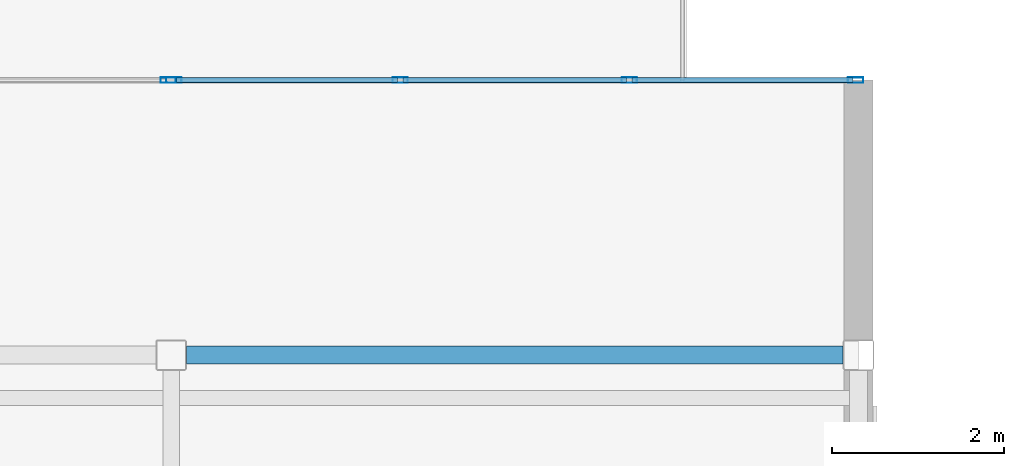
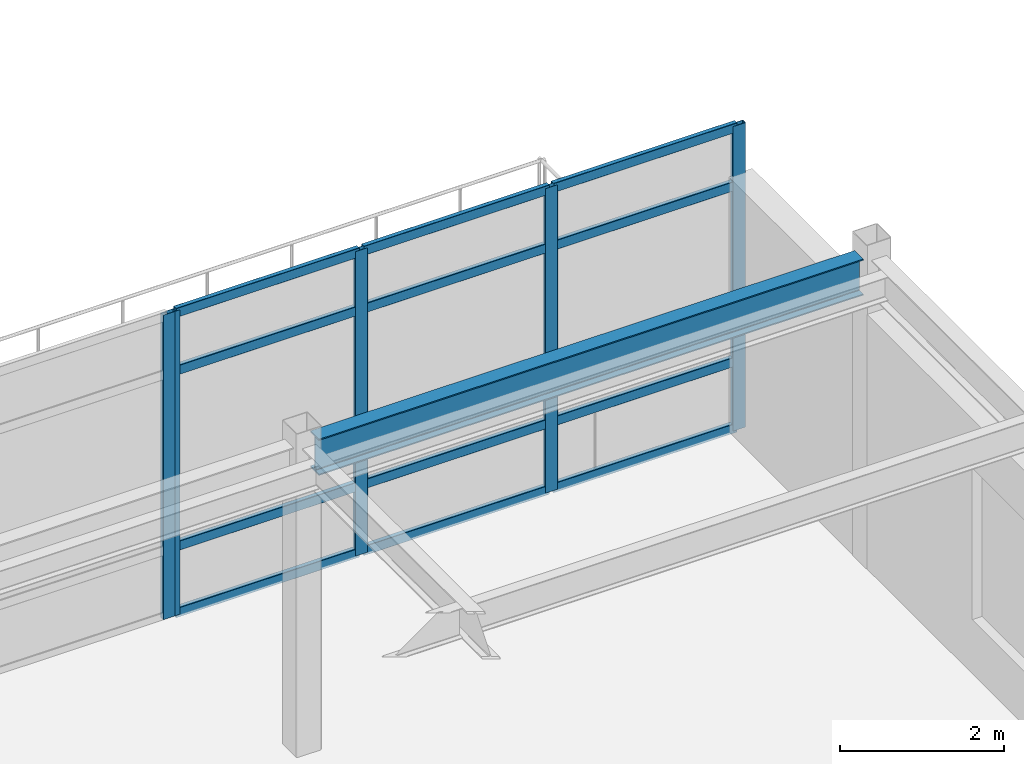
# One storey, part 73 of 117: 17 members, 1 beam, 2 elements without a shape of their own.
"""IFC4 building model written with IfcOpenShell, lengths in metres."""

from ifc_helpers import new_model, si_unit, direction, frame, origin, origin_2d, place, context, subcontext, project, spatial, hollow_rectangle, i_section, extrude, material, material_profile, profile_set, type_object, element, aggregate, save


model = new_model("IFC4")

# Units and contexts
model_context = context("Model", 3, precision=1e-05, world=origin(), true_north=direction((0.0, 1.0)))
body_context = subcontext(model_context, "Body", "Model", "MODEL_VIEW")
ifc_project = project(units=[si_unit("LENGTHUNIT", "METRE"), si_unit("AREAUNIT", "SQUARE_METRE"), si_unit("VOLUMEUNIT", "CUBIC_METRE"), si_unit("PLANEANGLEUNIT", "RADIAN"), si_unit("MASSUNIT", "GRAM", prefix="KILO")], contexts=[model_context])

# Site, building, storey
site_placement = place(None, origin())
site = spatial("IfcSite", under=ifc_project, at=site_placement, CompositionType="ELEMENT")
building_placement = place(site_placement, origin())
building = spatial("IfcBuilding", under=site, at=building_placement, Name="Solmirada Galleria", CompositionType="ELEMENT")
storey_placement = place(building_placement, frame((0.0, 0.0, 5.60009765625)))
storey = spatial("IfcBuildingStorey", under=building, at=storey_placement, Name="L01", CompositionType="ELEMENT", Elevation=5.60009765625)

# Beam
ifc_material_1 = material(Name="Steel S355 / ASTM A992 Grade 50", Category="steel")
ifc_material_profile_1 = material_profile(ifc_material_1, i_section(OverallWidth=0.2099609375, OverallDepth=0.537109375, WebThickness=0.010986328125, FlangeThickness=0.017333984375, FilletRadius=0.014892578125, at=origin_2d()), Name="W21X68")
ifc_profile_set_1 = profile_set([ifc_material_profile_1], Name="Steel S355 / ASTM A992 Grade 50")
beam_type = type_object("IfcBeamType", Name="BM-GIRD-W21B", PredefinedType="BEAM", material=ifc_profile_set_1)
beam_placement = place(storey_placement, frame((136.177978515625, 40.0, 4.29150390625), z_axis=(1.0, 0.0, 0.0), x_axis=(0.0, 1.0, 0.0)))
element("IfcBeam", 1, at=beam_placement, inside=storey, type_object=beam_type, Name="Primary beam L02 X(136..144, 40)", PredefinedType="BEAM", context=body_context, shape_type="SweptSolid", body=[
    extrude(i_section(OverallWidth=0.2099609375, OverallDepth=0.537109375, WebThickness=0.010986328125, FlangeThickness=0.017333984375, FilletRadius=0.014892578125, at=origin_2d()), origin(), (0.0, 0.0, 1.0), 7.64404296875),
])

# Curtain wall, member
ifc_material_2 = material(Name="Impact-resistant low-E double glazing", Category="glass")
curtain_wall_type = type_object("IfcCurtainWallType", Name="CW-FZ5-L01-B3-L080", PredefinedType="NOTDEFINED", material=ifc_material_2)
curtain_wall_1_placement = place(storey_placement, origin())
curtain_wall_1 = element("IfcCurtainWall", 2, at=curtain_wall_1_placement, inside=storey, type_object=curtain_wall_type, Name="Terrace and arcade storefront CW-L01-076", PredefinedType="NOTDEFINED")
ifc_material_3 = material(Name="Anodised aluminium framing", Category="aluminium")
ifc_material_profile_2 = material_profile(ifc_material_3, hollow_rectangle(XDim=0.06494140625, YDim=0.179931640625, WallThickness=0.00390625, InnerFilletRadius=0.00390625, OuterFilletRadius=0.008056640625, at=origin_2d()), Name="ALU-MULL-180X65")
ifc_profile_set_2 = profile_set([ifc_material_profile_2], Name="Anodised aluminium framing")
member_type_1 = type_object("IfcMemberType", Name="CW-MULL-180", PredefinedType="MULLION", material=ifc_profile_set_2)
member_1_placement = place(storey_placement, frame((135.967529296875, 43.199951171875, 0.0), z_axis=(0.0, 0.0, 1.0), x_axis=(0.0, 1.0, 0.0)))
member_1 = element("IfcMember", 3, at=member_1_placement, type_object=member_type_1, Name="CW17 mullion 4", PredefinedType="MULLION", context=body_context, shape_type="SweptSolid", body=[
    extrude(hollow_rectangle(XDim=0.06494140625, YDim=0.179931640625, WallThickness=0.00390625, InnerFilletRadius=0.00390625, OuterFilletRadius=0.008056640625, at=origin_2d()), origin(), (0.0, 0.0, 1.0), 4.52001953125),
])
aggregate(curtain_wall_1, [member_1])

# Curtain wall, members
curtain_wall_2_placement = place(storey_placement, origin())
curtain_wall_2 = element("IfcCurtainWall", 4, at=curtain_wall_2_placement, inside=storey, type_object=curtain_wall_type, Name="Terrace and arcade storefront CW-L01-077", PredefinedType="NOTDEFINED")
member_2_placement = place(storey_placement, frame((136.032470703125, 43.199951171875, 0.0), z_axis=(0.0, 0.0, 1.0), x_axis=(0.0, 1.0, 0.0)))
member_2 = element("IfcMember", 5, at=member_2_placement, type_object=member_type_1, Name="CW17 mullion 1", PredefinedType="MULLION", context=body_context, shape_type="SweptSolid", body=[
    extrude(hollow_rectangle(XDim=0.06494140625, YDim=0.179931640625, WallThickness=0.00390625, InnerFilletRadius=0.00390625, OuterFilletRadius=0.008056640625, at=origin_2d()), origin(), (0.0, 0.0, 1.0), 4.52001953125),
])
member_3_placement = place(storey_placement, frame((138.666748046875, 43.199951171875, 0.0), z_axis=(0.0, 0.0, 1.0), x_axis=(0.0, 1.0, 0.0)))
member_3 = element("IfcMember", 6, at=member_3_placement, type_object=member_type_1, Name="CW17 mullion 2", PredefinedType="MULLION", context=body_context, shape_type="SweptSolid", body=[
    extrude(hollow_rectangle(XDim=0.06494140625, YDim=0.179931640625, WallThickness=0.00390625, InnerFilletRadius=0.00390625, OuterFilletRadius=0.008056640625, at=origin_2d()), origin(), (0.0, 0.0, 1.0), 4.52001953125),
])
member_4_placement = place(storey_placement, frame((141.333251953125, 43.199951171875, 0.0), z_axis=(0.0, 0.0, 1.0), x_axis=(0.0, 1.0, 0.0)))
member_4 = element("IfcMember", 7, at=member_4_placement, type_object=member_type_1, Name="CW17 mullion 3", PredefinedType="MULLION", context=body_context, shape_type="SweptSolid", body=[
    extrude(hollow_rectangle(XDim=0.06494140625, YDim=0.179931640625, WallThickness=0.00390625, InnerFilletRadius=0.00390625, OuterFilletRadius=0.008056640625, at=origin_2d()), origin(), (0.0, 0.0, 1.0), 4.52001953125),
])
member_5_placement = place(storey_placement, frame((143.967529296875, 43.199951171875, 0.0), z_axis=(0.0, 0.0, 1.0), x_axis=(0.0, 1.0, 0.0)))
member_5 = element("IfcMember", 8, at=member_5_placement, type_object=member_type_1, Name="CW17 mullion 4", PredefinedType="MULLION", context=body_context, shape_type="SweptSolid", body=[
    extrude(hollow_rectangle(XDim=0.06494140625, YDim=0.179931640625, WallThickness=0.00390625, InnerFilletRadius=0.00390625, OuterFilletRadius=0.008056640625, at=origin_2d()), origin(), (0.0, 0.0, 1.0), 4.52001953125),
])
ifc_material_profile_3 = material_profile(ifc_material_3, hollow_rectangle(XDim=0.06494140625, YDim=0.139892578125, WallThickness=0.00341796875, InnerFilletRadius=0.00341796875, OuterFilletRadius=0.007080078125, at=origin_2d()), Name="ALU-TRAN-140X65")
ifc_profile_set_3 = profile_set([ifc_material_profile_3], Name="Anodised aluminium framing")
member_type_2 = type_object("IfcMemberType", Name="CW-TRAN-140", PredefinedType="USERDEFINED", material=ifc_profile_set_3)
member_6_placement = place(storey_placement, frame((136.06494140625, 43.199951171875, 0.032470703125), z_axis=(1.0, 0.0, 0.0), x_axis=(0.0, 1.0, 0.0)))
member_6 = element("IfcMember", 9, at=member_6_placement, type_object=member_type_2, Name="CW17 transom 1.1", ObjectType="TRANSOM", PredefinedType="USERDEFINED", context=body_context, shape_type="SweptSolid", body=[
    extrude(hollow_rectangle(XDim=0.06494140625, YDim=0.139892578125, WallThickness=0.00341796875, InnerFilletRadius=0.00341796875, OuterFilletRadius=0.007080078125, at=origin_2d()), origin(), (0.0, 0.0, 1.0), 2.5693359375),
])
member_7_placement = place(storey_placement, frame((136.06494140625, 43.199951171875, 1.02001953125), z_axis=(1.0, 0.0, 0.0), x_axis=(0.0, 1.0, 0.0)))
member_7 = element("IfcMember", 10, at=member_7_placement, type_object=member_type_2, Name="CW17 transom 1.2", ObjectType="TRANSOM", PredefinedType="USERDEFINED", context=body_context, shape_type="SweptSolid", body=[
    extrude(hollow_rectangle(XDim=0.06494140625, YDim=0.139892578125, WallThickness=0.00341796875, InnerFilletRadius=0.00341796875, OuterFilletRadius=0.007080078125, at=origin_2d()), origin(), (0.0, 0.0, 1.0), 2.5693359375),
])
member_8_placement = place(storey_placement, frame((136.06494140625, 43.199951171875, 3.6298828125), z_axis=(1.0, 0.0, 0.0), x_axis=(0.0, 1.0, 0.0)))
member_8 = element("IfcMember", 11, at=member_8_placement, type_object=member_type_2, Name="CW17 transom 1.3", ObjectType="TRANSOM", PredefinedType="USERDEFINED", context=body_context, shape_type="SweptSolid", body=[
    extrude(hollow_rectangle(XDim=0.06494140625, YDim=0.139892578125, WallThickness=0.00341796875, InnerFilletRadius=0.00341796875, OuterFilletRadius=0.007080078125, at=origin_2d()), origin(), (0.0, 0.0, 1.0), 2.5693359375),
])
member_9_placement = place(storey_placement, frame((136.06494140625, 43.199951171875, 4.4873046875), z_axis=(1.0, 0.0, 0.0), x_axis=(0.0, 1.0, 0.0)))
member_9 = element("IfcMember", 12, at=member_9_placement, type_object=member_type_2, Name="CW17 transom 1.4", ObjectType="TRANSOM", PredefinedType="USERDEFINED", context=body_context, shape_type="SweptSolid", body=[
    extrude(hollow_rectangle(XDim=0.06494140625, YDim=0.139892578125, WallThickness=0.00341796875, InnerFilletRadius=0.00341796875, OuterFilletRadius=0.007080078125, at=origin_2d()), origin(), (0.0, 0.0, 1.0), 2.5693359375),
])
member_10_placement = place(storey_placement, frame((138.69921875, 43.199951171875, 0.032470703125), z_axis=(1.0, 0.0, 0.0), x_axis=(0.0, 1.0, 0.0)))
member_10 = element("IfcMember", 13, at=member_10_placement, type_object=member_type_2, Name="CW17 transom 2.1", ObjectType="TRANSOM", PredefinedType="USERDEFINED", context=body_context, shape_type="SweptSolid", body=[
    extrude(hollow_rectangle(XDim=0.06494140625, YDim=0.139892578125, WallThickness=0.00341796875, InnerFilletRadius=0.00341796875, OuterFilletRadius=0.007080078125, at=origin_2d()), origin(), (0.0, 0.0, 1.0), 2.6015625),
])
member_11_placement = place(storey_placement, frame((138.69921875, 43.199951171875, 1.02001953125), z_axis=(1.0, 0.0, 0.0), x_axis=(0.0, 1.0, 0.0)))
member_11 = element("IfcMember", 14, at=member_11_placement, type_object=member_type_2, Name="CW17 transom 2.2", ObjectType="TRANSOM", PredefinedType="USERDEFINED", context=body_context, shape_type="SweptSolid", body=[
    extrude(hollow_rectangle(XDim=0.06494140625, YDim=0.139892578125, WallThickness=0.00341796875, InnerFilletRadius=0.00341796875, OuterFilletRadius=0.007080078125, at=origin_2d()), origin(), (0.0, 0.0, 1.0), 2.6015625),
])
member_12_placement = place(storey_placement, frame((138.69921875, 43.199951171875, 3.6298828125), z_axis=(1.0, 0.0, 0.0), x_axis=(0.0, 1.0, 0.0)))
member_12 = element("IfcMember", 15, at=member_12_placement, type_object=member_type_2, Name="CW17 transom 2.3", ObjectType="TRANSOM", PredefinedType="USERDEFINED", context=body_context, shape_type="SweptSolid", body=[
    extrude(hollow_rectangle(XDim=0.06494140625, YDim=0.139892578125, WallThickness=0.00341796875, InnerFilletRadius=0.00341796875, OuterFilletRadius=0.007080078125, at=origin_2d()), origin(), (0.0, 0.0, 1.0), 2.6015625),
])
member_13_placement = place(storey_placement, frame((138.69921875, 43.199951171875, 4.4873046875), z_axis=(1.0, 0.0, 0.0), x_axis=(0.0, 1.0, 0.0)))
member_13 = element("IfcMember", 16, at=member_13_placement, type_object=member_type_2, Name="CW17 transom 2.4", ObjectType="TRANSOM", PredefinedType="USERDEFINED", context=body_context, shape_type="SweptSolid", body=[
    extrude(hollow_rectangle(XDim=0.06494140625, YDim=0.139892578125, WallThickness=0.00341796875, InnerFilletRadius=0.00341796875, OuterFilletRadius=0.007080078125, at=origin_2d()), origin(), (0.0, 0.0, 1.0), 2.6015625),
])
member_14_placement = place(storey_placement, frame((141.36572265625, 43.199951171875, 0.032470703125), z_axis=(1.0, 0.0, 0.0), x_axis=(0.0, 1.0, 0.0)))
member_14 = element("IfcMember", 17, at=member_14_placement, type_object=member_type_2, Name="CW17 transom 3.1", ObjectType="TRANSOM", PredefinedType="USERDEFINED", context=body_context, shape_type="SweptSolid", body=[
    extrude(hollow_rectangle(XDim=0.06494140625, YDim=0.139892578125, WallThickness=0.00341796875, InnerFilletRadius=0.00341796875, OuterFilletRadius=0.007080078125, at=origin_2d()), origin(), (0.0, 0.0, 1.0), 2.5693359375),
])
member_15_placement = place(storey_placement, frame((141.36572265625, 43.199951171875, 1.02001953125), z_axis=(1.0, 0.0, 0.0), x_axis=(0.0, 1.0, 0.0)))
member_15 = element("IfcMember", 18, at=member_15_placement, type_object=member_type_2, Name="CW17 transom 3.2", ObjectType="TRANSOM", PredefinedType="USERDEFINED", context=body_context, shape_type="SweptSolid", body=[
    extrude(hollow_rectangle(XDim=0.06494140625, YDim=0.139892578125, WallThickness=0.00341796875, InnerFilletRadius=0.00341796875, OuterFilletRadius=0.007080078125, at=origin_2d()), origin(), (0.0, 0.0, 1.0), 2.5693359375),
])
member_16_placement = place(storey_placement, frame((141.36572265625, 43.199951171875, 3.6298828125), z_axis=(1.0, 0.0, 0.0), x_axis=(0.0, 1.0, 0.0)))
member_16 = element("IfcMember", 19, at=member_16_placement, type_object=member_type_2, Name="CW17 transom 3.3", ObjectType="TRANSOM", PredefinedType="USERDEFINED", context=body_context, shape_type="SweptSolid", body=[
    extrude(hollow_rectangle(XDim=0.06494140625, YDim=0.139892578125, WallThickness=0.00341796875, InnerFilletRadius=0.00341796875, OuterFilletRadius=0.007080078125, at=origin_2d()), origin(), (0.0, 0.0, 1.0), 2.5693359375),
])
member_17_placement = place(storey_placement, frame((141.36572265625, 43.199951171875, 4.4873046875), z_axis=(1.0, 0.0, 0.0), x_axis=(0.0, 1.0, 0.0)))
member_17 = element("IfcMember", 20, at=member_17_placement, type_object=member_type_2, Name="CW17 transom 3.4", ObjectType="TRANSOM", PredefinedType="USERDEFINED", context=body_context, shape_type="SweptSolid", body=[
    extrude(hollow_rectangle(XDim=0.06494140625, YDim=0.139892578125, WallThickness=0.00341796875, InnerFilletRadius=0.00341796875, OuterFilletRadius=0.007080078125, at=origin_2d()), origin(), (0.0, 0.0, 1.0), 2.5693359375),
])
aggregate(curtain_wall_2, [member_2, member_3, member_4, member_5, member_6, member_7, member_8, member_9, member_10, member_11, member_12, member_13, member_14, member_15, member_16, member_17])

save(model, "model.ifc")
